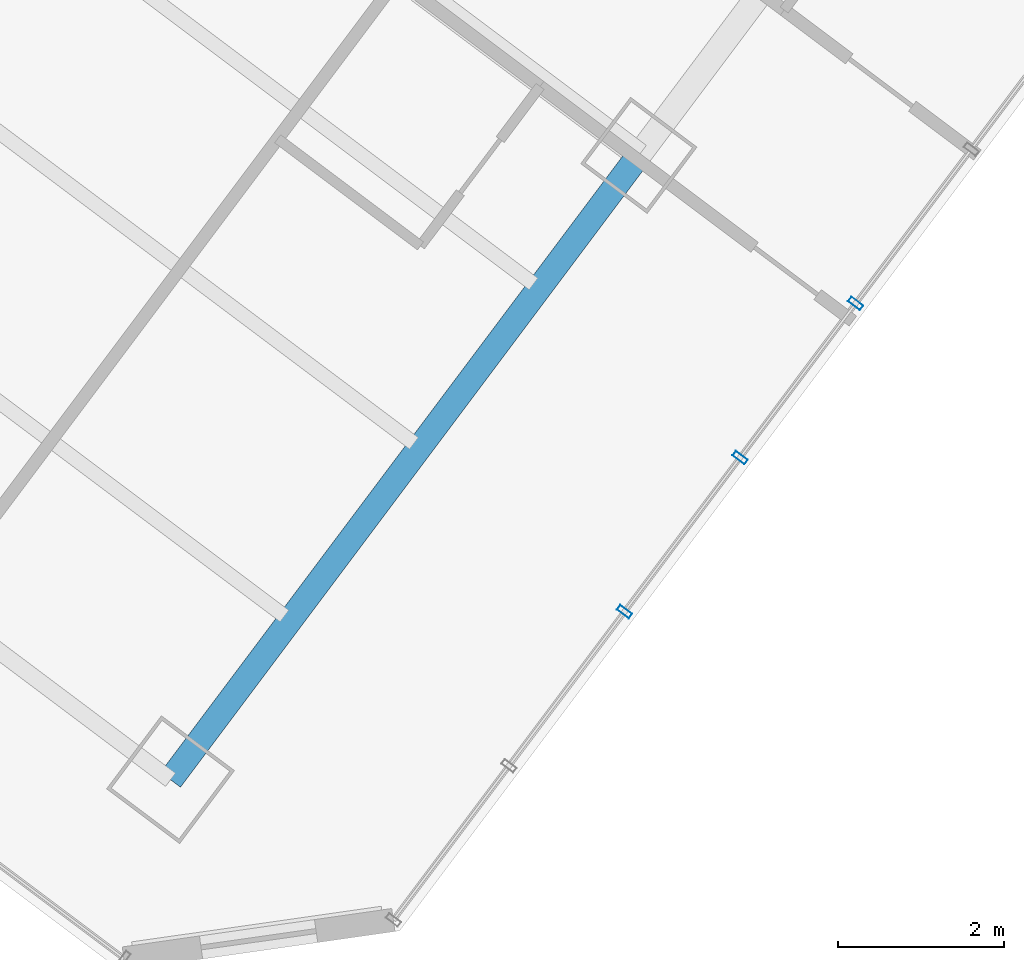
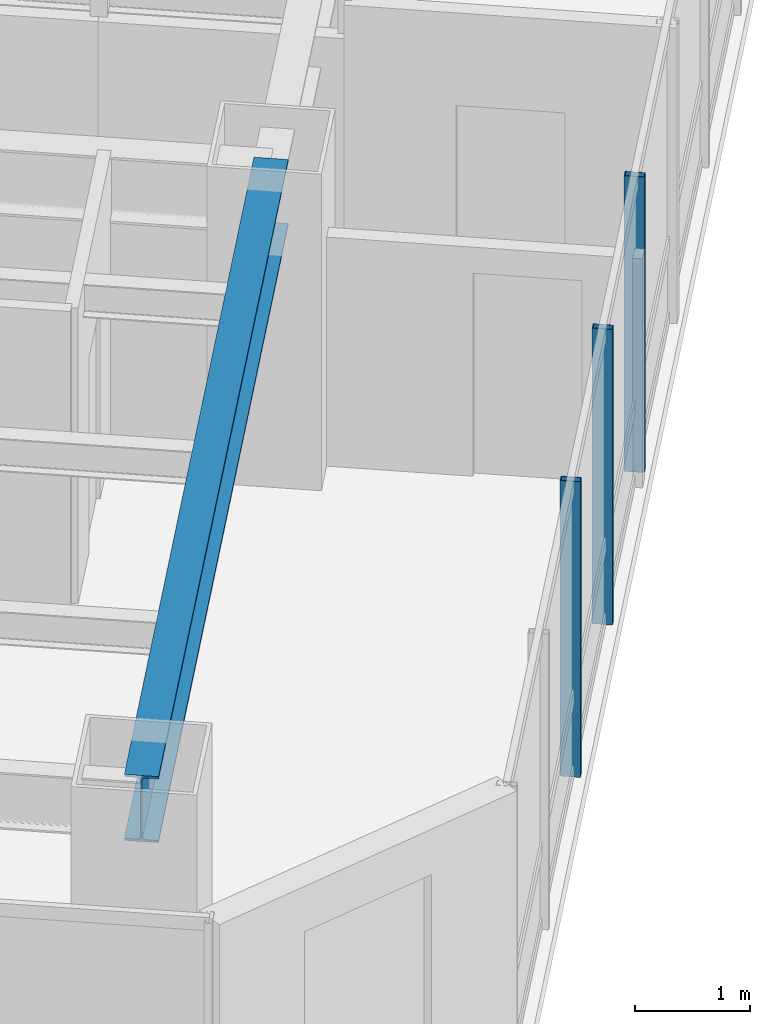
# One storey, part 14 of 38: 3 members, 1 beam, 1 element without a shape of its own.
"""IFC4 building model written with IfcOpenShell, lengths in metres."""

from ifc_helpers import new_model, si_unit, direction, frame, origin, origin_2d, place, context, subcontext, project, spatial, hollow_rectangle, i_section, extrude, material, layer, layer_set, material_profile, profile_set, type_object, element, aggregate, save


model = new_model("IFC4")

# Units and contexts
model_context = context("Model", 3, precision=1e-05, world=origin(), true_north=direction((0.0, 1.0)))
body_context = subcontext(model_context, "Body", "Model", "MODEL_VIEW")
ifc_project = project(units=[si_unit("LENGTHUNIT", "METRE"), si_unit("AREAUNIT", "SQUARE_METRE"), si_unit("VOLUMEUNIT", "CUBIC_METRE"), si_unit("PLANEANGLEUNIT", "RADIAN"), si_unit("MASSUNIT", "GRAM", prefix="KILO")], contexts=[model_context])

# Site, building, storey
site_placement = place(None, origin())
site = spatial("IfcSite", under=ifc_project, at=site_placement, CompositionType="ELEMENT")
building_placement = place(site_placement, origin())
building = spatial("IfcBuilding", under=site, at=building_placement, Name="Hatsunagi Terrace Concourse", CompositionType="ELEMENT")
storey_placement = place(building_placement, frame((0.0, 0.0, 63.39990234375)))
storey = spatial("IfcBuildingStorey", under=building, at=storey_placement, Name="L16", CompositionType="ELEMENT", Elevation=63.39990234375)

# Curtain wall, members
ifc_material_1 = material(Name="Anodised Aluminium Alloy 6063-T5", Category="aluminium")
ifc_layer = layer(ifc_material_1, 0.199951171875)
ifc_layer_set = layer_set([ifc_layer], Name="HotelFacade_CW02")
curtain_wall_type = type_object("IfcCurtainWallType", Name="HotelFacade_CW02", PredefinedType="NOTDEFINED", material=ifc_layer_set)
curtain_wall_placement = place(storey_placement, origin())
curtain_wall = element("IfcCurtainWall", 1, at=curtain_wall_placement, inside=storey, type_object=curtain_wall_type, Name="Unitised Curtain Wall CW-02 CW-L16-03", PredefinedType="NOTDEFINED")
ifc_material_2 = material(Name="Anodised Aluminium Alloy 6063-T5", Category="aluminium")
ifc_material_profile_1 = material_profile(ifc_material_2, hollow_rectangle(XDim=0.070068359375, YDim=0.179931640625, WallThickness=0.00390625, at=origin_2d()), Name="ALU-MUL-180x70x4")
ifc_profile_set_1 = profile_set([ifc_material_profile_1], Name="Anodised Aluminium Alloy 6063-T5")
member_type = type_object("IfcMemberType", Name="CurtainWallMullion_180x70", PredefinedType="MULLION", material=ifc_profile_set_1)
member_1_placement = place(storey_placement, frame((62.132080078125, 10.3759765625, 0.0), z_axis=(0.0, 0.0, 1.0), x_axis=(-0.599969314634, -0.800023013105, 0.0)))
member_1 = element("IfcMember", 2, at=member_1_placement, type_object=member_type, Name="Curtain Wall Mullion MUL-02", PredefinedType="MULLION", context=body_context, shape_type="SweptSolid", body=[
    extrude(hollow_rectangle(XDim=0.070068359375, YDim=0.179931640625, WallThickness=0.00390625, at=origin_2d()), origin(), (0.0, 0.0, 1.0), 3.130126953125),
])
member_2_placement = place(storey_placement, frame((60.739990234375, 8.51904296875, 0.0), z_axis=(0.0, 0.0, 1.0), x_axis=(-0.599969314634, -0.800023013105, 0.0)))
member_2 = element("IfcMember", 3, at=member_2_placement, type_object=member_type, Name="Curtain Wall Mullion MUL-02", PredefinedType="MULLION", context=body_context, shape_type="SweptSolid", body=[
    extrude(hollow_rectangle(XDim=0.070068359375, YDim=0.179931640625, WallThickness=0.00390625, at=origin_2d()), origin(), (0.0, 0.0, 1.0), 3.130126953125),
])
member_3_placement = place(storey_placement, frame((59.346923828125, 6.6630859375, 0.0), z_axis=(0.0, 0.0, 1.0), x_axis=(-0.599969314634, -0.800023013105, 0.0)))
member_3 = element("IfcMember", 4, at=member_3_placement, type_object=member_type, Name="Curtain Wall Mullion MUL-02", PredefinedType="MULLION", context=body_context, shape_type="SweptSolid", body=[
    extrude(hollow_rectangle(XDim=0.070068359375, YDim=0.179931640625, WallThickness=0.00390625, at=origin_2d()), origin(), (0.0, 0.0, 1.0), 3.130126953125),
])
aggregate(curtain_wall, [member_1, member_2, member_3])

# Beam
ifc_material_3 = material(Name="Steel SN490B", Category="steel")
ifc_material_profile_2 = material_profile(ifc_material_3, i_section(OverallWidth=0.300048828125, OverallDepth=0.699951171875, WebThickness=0.012939453125, FlangeThickness=0.02392578125, FilletRadius=0.02197265625, at=origin_2d()), Name="H-700x300x13x24")
ifc_profile_set_2 = profile_set([ifc_material_profile_2], Name="Steel SN490B")
beam_type = type_object("IfcBeamType", Name="HotelFloorGirder_H_700x300", PredefinedType="BEAM", material=ifc_profile_set_2)
beam_placement = place(storey_placement, frame((53.8798828125, 4.639892578125, 2.780029296875), z_axis=(0.600008311051, 0.799993766644, 0.0), x_axis=(-0.799993766644, 0.600008311051, 0.0)))
element("IfcBeam", 5, at=beam_placement, inside=storey, type_object=beam_type, Name="Beam G-04 BM-L16-SET-3A", PredefinedType="BEAM", context=body_context, shape_type="SweptSolid", body=[
    extrude(i_section(OverallWidth=0.300048828125, OverallDepth=0.699951171875, WebThickness=0.012939453125, FlangeThickness=0.02392578125, FilletRadius=0.02197265625, at=origin_2d()), origin(), (0.0, 0.0, 1.0), 9.400146484375),
])

save(model, "model.ifc")
